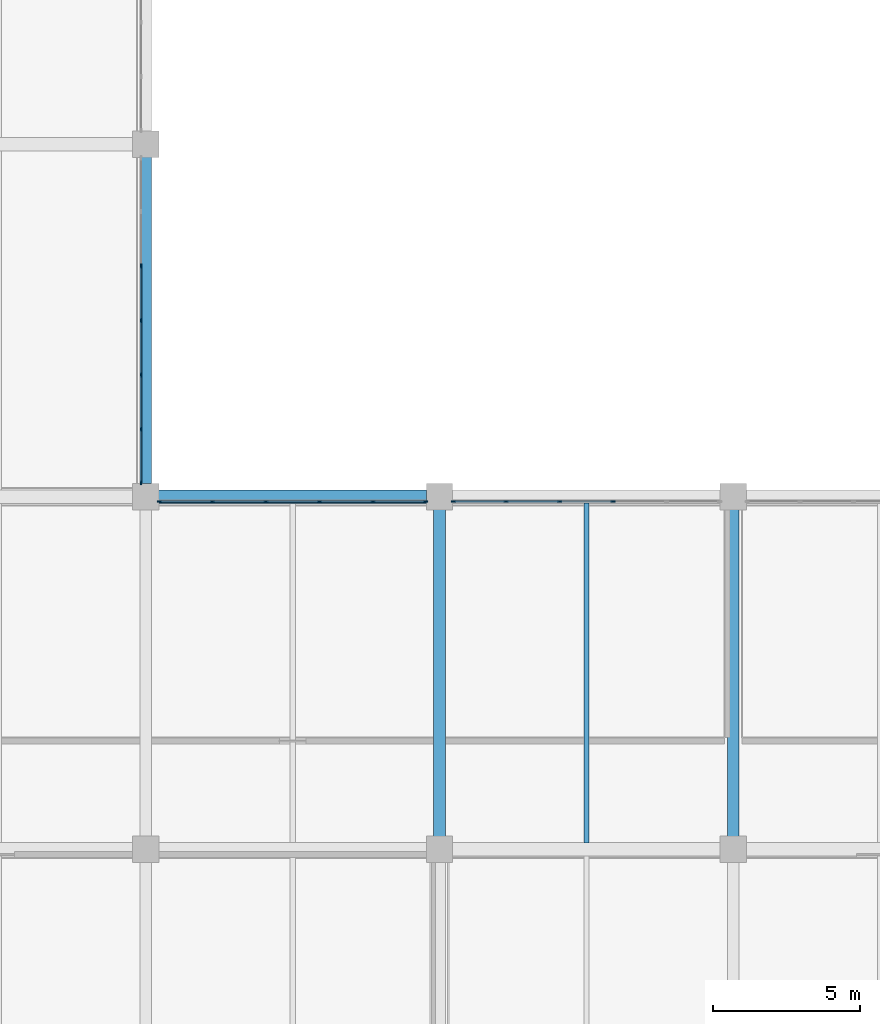
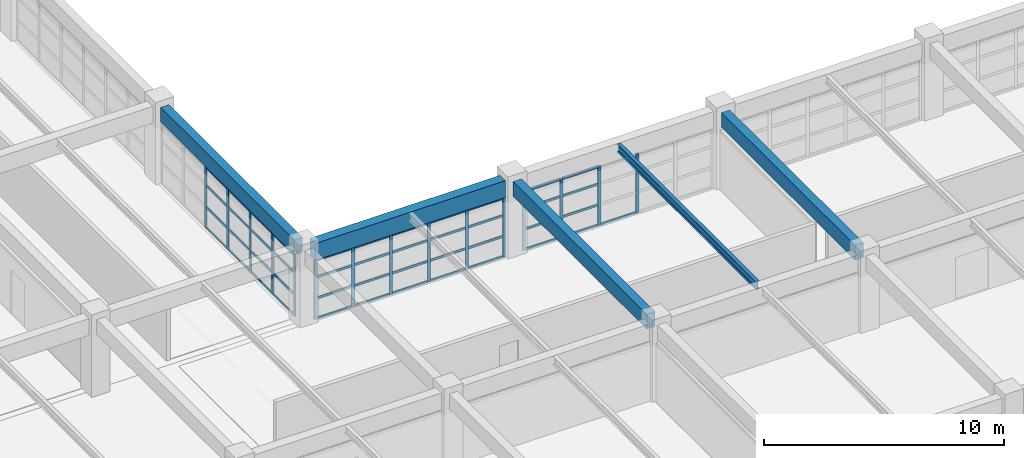
# One storey, part 51 of 100: 60 members, 5 beams, 3 elements without a shape of their own.
"""IFC4 building model written with IfcOpenShell, lengths in metres."""

from ifc_helpers import new_model, si_unit, direction, frame, origin, origin_2d, place, context, subcontext, project, spatial, rectangle, i_section, extrude, material, layer, layer_set, material_profile, profile_set, type_object, element, aggregate, save


model = new_model("IFC4")

# Units and contexts
model_context = context("Model", 3, precision=1e-05, world=origin(), true_north=direction((0.0, 1.0)))
body_context = subcontext(model_context, "Body", "Model", "MODEL_VIEW")
ifc_project = project(units=[si_unit("LENGTHUNIT", "METRE"), si_unit("AREAUNIT", "SQUARE_METRE"), si_unit("VOLUMEUNIT", "CUBIC_METRE"), si_unit("PLANEANGLEUNIT", "RADIAN"), si_unit("MASSUNIT", "GRAM", prefix="KILO")], contexts=[model_context])

# Site, building, storey
site_placement = place(None, origin())
site = spatial("IfcSite", under=ifc_project, at=site_placement, CompositionType="ELEMENT")
building_placement = place(site_placement, origin())
building = spatial("IfcBuilding", under=site, at=building_placement, Name="Kivolera Central Railway Station", CompositionType="ELEMENT")
storey_placement = place(building_placement, frame((0.0, 0.0, 5.39990234375)))
storey = spatial("IfcBuildingStorey", under=building, at=storey_placement, Name="L01", CompositionType="ELEMENT", Elevation=5.39990234375)

# Beams
ifc_material_1 = material(Name="Steel S355", Category="steel")
ifc_material_profile_1 = material_profile(ifc_material_1, i_section(OverallWidth=0.179931640625, OverallDepth=0.39990234375, WebThickness=0.008544921875, FlangeThickness=0.013427734375, FilletRadius=0.02099609375, at=origin_2d()), Name="IPE 400")
ifc_profile_set_1 = profile_set([ifc_material_profile_1], Name="Steel S355")
beam_type_1 = type_object("IfcBeamType", Name="BM-JST-IPE400", PredefinedType="JOIST", material=ifc_profile_set_1)
beam_1_placement = place(storey_placement, frame((153.0, 66.217041015625, 3.668212890625), z_axis=(0.0, 1.0, 0.0), x_axis=(-1.0, 0.0, 0.0)))
element("IfcBeam", 1, at=beam_1_placement, inside=storey, type_object=beam_type_1, Name="L01 Floor Joist 15-16/F-G", PredefinedType="JOIST", context=body_context, shape_type="SweptSolid", body=[
    extrude(i_section(OverallWidth=0.179931640625, OverallDepth=0.39990234375, WebThickness=0.008544921875, FlangeThickness=0.013427734375, FilletRadius=0.02099609375, at=origin_2d()), origin(), (0.0, 0.0, 1.0), 11.56591796875),
])
ifc_material_2 = material(Name="Concrete C40/50", Category="concrete")
ifc_material_profile_2 = material_profile(ifc_material_2, rectangle(XDim=0.39990234375, YDim=0.75, at=origin_2d()), Name="RC 400x750")
ifc_profile_set_2 = profile_set([ifc_material_profile_2], Name="Concrete C40/50")
beam_type_2 = type_object("IfcBeamType", Name="BM-RC-400x750", PredefinedType="BEAM", material=ifc_profile_set_2)
for number, where, z_axis, x_axis, name in (
    (2, (138.0, 78.44189453125, 3.505126953125), (0.0, 1.0, 0.0), (-1.0, 0.0, 0.0), "L01 Wing Y-Beam 14:G-H"),
    (3, (148.0, 66.44189453125, 3.505126953125), (0.0, 1.0, 0.0), (-1.0, 0.0, 0.0), "L01 Wing Y-Beam 15:F-G"),
    (4, (158.0, 66.44189453125, 3.505126953125), (0.0, 1.0, 0.0), (-1.0, 0.0, 0.0), "L01 Wing Y-Beam 16:F-G"),
):
    element("IfcBeam", number, at=place(storey_placement, frame(where, z_axis=z_axis, x_axis=x_axis)), inside=storey, type_object=beam_type_2, Name=name, PredefinedType="BEAM", context=body_context, shape_type="SweptSolid", body=[
        extrude(rectangle(XDim=0.39990234375, YDim=0.75, at=origin_2d()), origin(), (0.0, 0.0, 1.0), 11.1162109375),
    ])
ifc_material_profile_3 = material_profile(ifc_material_2, rectangle(XDim=0.449951171875, YDim=0.85009765625, at=origin_2d()), Name="RC 450x850")
ifc_profile_set_3 = profile_set([ifc_material_profile_3], Name="Concrete C40/50")
beam_type_3 = type_object("IfcBeamType", Name="BM-RC-450x850", PredefinedType="BEAM", material=ifc_profile_set_3)
beam_2_placement = place(storey_placement, frame((138.44189453125, 78.0, 3.455078125), z_axis=(1.0, 0.0, 0.0), x_axis=(0.0, 1.0, 0.0)))
element("IfcBeam", 5, at=beam_2_placement, inside=storey, type_object=beam_type_3, Name="L01 Wing X-Beam G:14-15", PredefinedType="BEAM", context=body_context, shape_type="SweptSolid", body=[
    extrude(rectangle(XDim=0.449951171875, YDim=0.85009765625, at=origin_2d()), origin(), (0.0, 0.0, 1.0), 9.1162109375),
])

# Curtain wall, members
ifc_material_3 = material(Name="Anodised aluminium", Category="aluminium")
ifc_layer_1 = layer(ifc_material_3, 0.179931640625, Name="Anodised aluminium")
ifc_layer_set_1 = layer_set([ifc_layer_1], Name="Anodised aluminium")
curtain_wall_type_1 = type_object("IfcCurtainWallType", Name="CW-SYS-25", PredefinedType="NOTDEFINED", material=ifc_layer_set_1)
curtain_wall_1_placement = place(storey_placement, origin())
curtain_wall_1 = element("IfcCurtainWall", 6, at=curtain_wall_1_placement, inside=storey, type_object=curtain_wall_type_1, Name="L01 Curtain Wall CW-L01-CRTW-G", PredefinedType="NOTDEFINED")
ifc_material_profile_4 = material_profile(ifc_material_3, rectangle(XDim=0.06005859375, YDim=0.14990234375, at=origin_2d()), Name="ALU MULL 60x150")
ifc_profile_set_4 = profile_set([ifc_material_profile_4], Name="Anodised aluminium")
member_type_1 = type_object("IfcMemberType", Name="CWM-MUL-2", PredefinedType="MULLION", material=ifc_profile_set_4)
member_1_placement = place(storey_placement, frame((137.840087890625, 85.8515625, -0.0048828125), z_axis=(0.0, 0.0, 1.0), x_axis=(1.0, 0.0, 0.0)))
member_1 = element("IfcMember", 7, at=member_1_placement, type_object=member_type_1, Name="CW-25 mullion 3", PredefinedType="MULLION", context=body_context, shape_type="SweptSolid", body=[
    extrude(rectangle(XDim=0.06005859375, YDim=0.14990234375, at=origin_2d()), origin(), (0.0, 0.0, 1.0), 3.123046875),
])
member_2_placement = place(storey_placement, frame((137.840087890625, 84.0, -0.0048828125), z_axis=(0.0, 0.0, 1.0), x_axis=(1.0, 0.0, 0.0)))
member_2 = element("IfcMember", 8, at=member_2_placement, type_object=member_type_1, Name="CW-25 mullion 4", PredefinedType="MULLION", context=body_context, shape_type="SweptSolid", body=[
    extrude(rectangle(XDim=0.06005859375, YDim=0.14990234375, at=origin_2d()), origin(), (0.0, 0.0, 1.0), 3.123046875),
])
member_3_placement = place(storey_placement, frame((137.840087890625, 82.1484375, -0.0048828125), z_axis=(0.0, 0.0, 1.0), x_axis=(1.0, 0.0, 0.0)))
member_3 = element("IfcMember", 9, at=member_3_placement, type_object=member_type_1, Name="CW-25 mullion 5", PredefinedType="MULLION", context=body_context, shape_type="SweptSolid", body=[
    extrude(rectangle(XDim=0.06005859375, YDim=0.14990234375, at=origin_2d()), origin(), (0.0, 0.0, 1.0), 3.123046875),
])
member_4_placement = place(storey_placement, frame((137.840087890625, 80.296630859375, -0.0048828125), z_axis=(0.0, 0.0, 1.0), x_axis=(1.0, 0.0, 0.0)))
member_4 = element("IfcMember", 10, at=member_4_placement, type_object=member_type_1, Name="CW-25 mullion 6", PredefinedType="MULLION", context=body_context, shape_type="SweptSolid", body=[
    extrude(rectangle(XDim=0.06005859375, YDim=0.14990234375, at=origin_2d()), origin(), (0.0, 0.0, 1.0), 3.123046875),
])
member_5_placement = place(storey_placement, frame((137.840087890625, 78.47509765625, -0.0048828125), z_axis=(0.0, 0.0, 1.0), x_axis=(1.0, 0.0, 0.0)))
member_5 = element("IfcMember", 11, at=member_5_placement, type_object=member_type_1, Name="CW-25 mullion 7", PredefinedType="MULLION", context=body_context, shape_type="SweptSolid", body=[
    extrude(rectangle(XDim=0.06005859375, YDim=0.14990234375, at=origin_2d()), origin(), (0.0, 0.0, 1.0), 3.123046875),
])

ifc_layer_2 = layer(ifc_material_3, 0.179931640625, Name="Anodised aluminium")
ifc_layer_set_2 = layer_set([ifc_layer_2], Name="Anodised aluminium")
curtain_wall_type_2 = type_object("IfcCurtainWallType", Name="CW-SYS-24", PredefinedType="NOTDEFINED", material=ifc_layer_set_2)
curtain_wall_2_placement = place(storey_placement, origin())
curtain_wall_2 = element("IfcCurtainWall", 12, at=curtain_wall_2_placement, inside=storey, type_object=curtain_wall_type_2, Name="L01 Curtain Wall CW-L01-CRTS-138", PredefinedType="NOTDEFINED")
member_6_placement = place(storey_placement, frame((138.47509765625, 77.840087890625, -0.0048828125), z_axis=(0.0, 0.0, 1.0), x_axis=(0.0, 1.0, 0.0)))
member_6 = element("IfcMember", 13, at=member_6_placement, type_object=member_type_1, Name="CW-24 mullion 1", PredefinedType="MULLION", context=body_context, shape_type="SweptSolid", body=[
    extrude(rectangle(XDim=0.06005859375, YDim=0.14990234375, at=origin_2d()), origin(), (0.0, 0.0, 1.0), 3.02294921875),
])
member_7_placement = place(storey_placement, frame((140.26708984375, 77.840087890625, -0.0048828125), z_axis=(0.0, 0.0, 1.0), x_axis=(0.0, 1.0, 0.0)))
member_7 = element("IfcMember", 14, at=member_7_placement, type_object=member_type_1, Name="CW-24 mullion 2", PredefinedType="MULLION", context=body_context, shape_type="SweptSolid", body=[
    extrude(rectangle(XDim=0.06005859375, YDim=0.14990234375, at=origin_2d()), origin(), (0.0, 0.0, 1.0), 3.02294921875),
])
member_8_placement = place(storey_placement, frame((142.089111328125, 77.840087890625, -0.0048828125), z_axis=(0.0, 0.0, 1.0), x_axis=(0.0, 1.0, 0.0)))
member_8 = element("IfcMember", 15, at=member_8_placement, type_object=member_type_1, Name="CW-24 mullion 3", PredefinedType="MULLION", context=body_context, shape_type="SweptSolid", body=[
    extrude(rectangle(XDim=0.06005859375, YDim=0.14990234375, at=origin_2d()), origin(), (0.0, 0.0, 1.0), 3.02294921875),
])
member_9_placement = place(storey_placement, frame((143.910888671875, 77.840087890625, -0.0048828125), z_axis=(0.0, 0.0, 1.0), x_axis=(0.0, 1.0, 0.0)))
member_9 = element("IfcMember", 16, at=member_9_placement, type_object=member_type_1, Name="CW-24 mullion 4", PredefinedType="MULLION", context=body_context, shape_type="SweptSolid", body=[
    extrude(rectangle(XDim=0.06005859375, YDim=0.14990234375, at=origin_2d()), origin(), (0.0, 0.0, 1.0), 3.02294921875),
])
member_10_placement = place(storey_placement, frame((145.73291015625, 77.840087890625, -0.0048828125), z_axis=(0.0, 0.0, 1.0), x_axis=(0.0, 1.0, 0.0)))
member_10 = element("IfcMember", 17, at=member_10_placement, type_object=member_type_1, Name="CW-24 mullion 5", PredefinedType="MULLION", context=body_context, shape_type="SweptSolid", body=[
    extrude(rectangle(XDim=0.06005859375, YDim=0.14990234375, at=origin_2d()), origin(), (0.0, 0.0, 1.0), 3.02294921875),
])
member_11_placement = place(storey_placement, frame((147.52490234375, 77.840087890625, -0.0048828125), z_axis=(0.0, 0.0, 1.0), x_axis=(0.0, 1.0, 0.0)))
member_11 = element("IfcMember", 18, at=member_11_placement, type_object=member_type_1, Name="CW-24 mullion 6", PredefinedType="MULLION", context=body_context, shape_type="SweptSolid", body=[
    extrude(rectangle(XDim=0.06005859375, YDim=0.14990234375, at=origin_2d()), origin(), (0.0, 0.0, 1.0), 3.02294921875),
])

curtain_wall_3_placement = place(storey_placement, origin())
curtain_wall_3 = element("IfcCurtainWall", 19, at=curtain_wall_3_placement, inside=storey, type_object=curtain_wall_type_2, Name="L01 Curtain Wall CW-L01-CRTS-148", PredefinedType="NOTDEFINED")
member_12_placement = place(storey_placement, frame((148.47509765625, 77.840087890625, -0.0048828125), z_axis=(0.0, 0.0, 1.0), x_axis=(0.0, 1.0, 0.0)))
member_12 = element("IfcMember", 20, at=member_12_placement, type_object=member_type_1, Name="CW-24 mullion 1", PredefinedType="MULLION", context=body_context, shape_type="SweptSolid", body=[
    extrude(rectangle(XDim=0.06005859375, YDim=0.14990234375, at=origin_2d()), origin(), (0.0, 0.0, 1.0), 3.02294921875),
])
member_13_placement = place(storey_placement, frame((150.26708984375, 77.840087890625, -0.0048828125), z_axis=(0.0, 0.0, 1.0), x_axis=(0.0, 1.0, 0.0)))
member_13 = element("IfcMember", 21, at=member_13_placement, type_object=member_type_1, Name="CW-24 mullion 2", PredefinedType="MULLION", context=body_context, shape_type="SweptSolid", body=[
    extrude(rectangle(XDim=0.06005859375, YDim=0.14990234375, at=origin_2d()), origin(), (0.0, 0.0, 1.0), 3.02294921875),
])
member_14_placement = place(storey_placement, frame((152.089111328125, 77.840087890625, -0.0048828125), z_axis=(0.0, 0.0, 1.0), x_axis=(0.0, 1.0, 0.0)))
member_14 = element("IfcMember", 22, at=member_14_placement, type_object=member_type_1, Name="CW-24 mullion 3", PredefinedType="MULLION", context=body_context, shape_type="SweptSolid", body=[
    extrude(rectangle(XDim=0.06005859375, YDim=0.14990234375, at=origin_2d()), origin(), (0.0, 0.0, 1.0), 3.02294921875),
])
member_15_placement = place(storey_placement, frame((153.910888671875, 77.840087890625, -0.0048828125), z_axis=(0.0, 0.0, 1.0), x_axis=(0.0, 1.0, 0.0)))
member_15 = element("IfcMember", 23, at=member_15_placement, type_object=member_type_1, Name="CW-24 mullion 4", PredefinedType="MULLION", context=body_context, shape_type="SweptSolid", body=[
    extrude(rectangle(XDim=0.06005859375, YDim=0.14990234375, at=origin_2d()), origin(), (0.0, 0.0, 1.0), 3.02294921875),
])

# Member
ifc_material_profile_5 = material_profile(ifc_material_3, rectangle(XDim=0.06005859375, YDim=0.1201171875, at=origin_2d()), Name="ALU TRAN 60x120")
ifc_profile_set_5 = profile_set([ifc_material_profile_5], Name="Anodised aluminium")
member_type_2 = type_object("IfcMemberType", Name="CWM-TRN-2", PredefinedType="USERDEFINED", material=ifc_profile_set_5)
member_16_placement = place(storey_placement, frame((137.840087890625, 85.82177734375, 0.030029296875), z_axis=(0.0, -1.0, 0.0), x_axis=(1.0, 0.0, 0.0)))
member_16 = element("IfcMember", 24, at=member_16_placement, type_object=member_type_2, Name="CW-25 transom 3.1", ObjectType="TRANSOM", PredefinedType="USERDEFINED", context=body_context, shape_type="SweptSolid", body=[
    extrude(rectangle(XDim=0.06005859375, YDim=0.1201171875, at=origin_2d()), origin(), (0.0, 0.0, 1.0), 1.791748046875),
])

member_17_placement = place(storey_placement, frame((137.840087890625, 85.82177734375, 1.09130859375), z_axis=(0.0, -1.0, 0.0), x_axis=(1.0, 0.0, 0.0)))
member_17 = element("IfcMember", 25, at=member_17_placement, type_object=member_type_2, Name="CW-25 transom 3.2", ObjectType="TRANSOM", PredefinedType="USERDEFINED", context=body_context, shape_type="SweptSolid", body=[
    extrude(rectangle(XDim=0.06005859375, YDim=0.1201171875, at=origin_2d()), origin(), (0.0, 0.0, 1.0), 1.791748046875),
])

member_18_placement = place(storey_placement, frame((137.840087890625, 85.82177734375, 2.1826171875), z_axis=(0.0, -1.0, 0.0), x_axis=(1.0, 0.0, 0.0)))
member_18 = element("IfcMember", 26, at=member_18_placement, type_object=member_type_2, Name="CW-25 transom 3.3", ObjectType="TRANSOM", PredefinedType="USERDEFINED", context=body_context, shape_type="SweptSolid", body=[
    extrude(rectangle(XDim=0.06005859375, YDim=0.1201171875, at=origin_2d()), origin(), (0.0, 0.0, 1.0), 1.791748046875),
])

member_19_placement = place(storey_placement, frame((137.840087890625, 85.82177734375, 3.088134765625), z_axis=(0.0, -1.0, 0.0), x_axis=(1.0, 0.0, 0.0)))
member_19 = element("IfcMember", 27, at=member_19_placement, type_object=member_type_2, Name="CW-25 transom 3.4", ObjectType="TRANSOM", PredefinedType="USERDEFINED", context=body_context, shape_type="SweptSolid", body=[
    extrude(rectangle(XDim=0.06005859375, YDim=0.1201171875, at=origin_2d()), origin(), (0.0, 0.0, 1.0), 1.791748046875),
])

member_20_placement = place(storey_placement, frame((137.840087890625, 83.969970703125, 0.030029296875), z_axis=(0.0, -1.0, 0.0), x_axis=(1.0, 0.0, 0.0)))
member_20 = element("IfcMember", 28, at=member_20_placement, type_object=member_type_2, Name="CW-25 transom 4.1", ObjectType="TRANSOM", PredefinedType="USERDEFINED", context=body_context, shape_type="SweptSolid", body=[
    extrude(rectangle(XDim=0.06005859375, YDim=0.1201171875, at=origin_2d()), origin(), (0.0, 0.0, 1.0), 1.791748046875),
])

member_21_placement = place(storey_placement, frame((137.840087890625, 83.969970703125, 1.09130859375), z_axis=(0.0, -1.0, 0.0), x_axis=(1.0, 0.0, 0.0)))
member_21 = element("IfcMember", 29, at=member_21_placement, type_object=member_type_2, Name="CW-25 transom 4.2", ObjectType="TRANSOM", PredefinedType="USERDEFINED", context=body_context, shape_type="SweptSolid", body=[
    extrude(rectangle(XDim=0.06005859375, YDim=0.1201171875, at=origin_2d()), origin(), (0.0, 0.0, 1.0), 1.791748046875),
])

member_22_placement = place(storey_placement, frame((137.840087890625, 83.969970703125, 2.1826171875), z_axis=(0.0, -1.0, 0.0), x_axis=(1.0, 0.0, 0.0)))
member_22 = element("IfcMember", 30, at=member_22_placement, type_object=member_type_2, Name="CW-25 transom 4.3", ObjectType="TRANSOM", PredefinedType="USERDEFINED", context=body_context, shape_type="SweptSolid", body=[
    extrude(rectangle(XDim=0.06005859375, YDim=0.1201171875, at=origin_2d()), origin(), (0.0, 0.0, 1.0), 1.791748046875),
])

member_23_placement = place(storey_placement, frame((137.840087890625, 83.969970703125, 3.088134765625), z_axis=(0.0, -1.0, 0.0), x_axis=(1.0, 0.0, 0.0)))
member_23 = element("IfcMember", 31, at=member_23_placement, type_object=member_type_2, Name="CW-25 transom 4.4", ObjectType="TRANSOM", PredefinedType="USERDEFINED", context=body_context, shape_type="SweptSolid", body=[
    extrude(rectangle(XDim=0.06005859375, YDim=0.1201171875, at=origin_2d()), origin(), (0.0, 0.0, 1.0), 1.791748046875),
])

member_24_placement = place(storey_placement, frame((137.840087890625, 82.118408203125, 0.030029296875), z_axis=(0.0, -1.0, 0.0), x_axis=(1.0, 0.0, 0.0)))
member_24 = element("IfcMember", 32, at=member_24_placement, type_object=member_type_2, Name="CW-25 transom 5.1", ObjectType="TRANSOM", PredefinedType="USERDEFINED", context=body_context, shape_type="SweptSolid", body=[
    extrude(rectangle(XDim=0.06005859375, YDim=0.1201171875, at=origin_2d()), origin(), (0.0, 0.0, 1.0), 1.791748046875),
])

member_25_placement = place(storey_placement, frame((137.840087890625, 82.118408203125, 1.09130859375), z_axis=(0.0, -1.0, 0.0), x_axis=(1.0, 0.0, 0.0)))
member_25 = element("IfcMember", 33, at=member_25_placement, type_object=member_type_2, Name="CW-25 transom 5.2", ObjectType="TRANSOM", PredefinedType="USERDEFINED", context=body_context, shape_type="SweptSolid", body=[
    extrude(rectangle(XDim=0.06005859375, YDim=0.1201171875, at=origin_2d()), origin(), (0.0, 0.0, 1.0), 1.791748046875),
])

member_26_placement = place(storey_placement, frame((137.840087890625, 82.118408203125, 2.1826171875), z_axis=(0.0, -1.0, 0.0), x_axis=(1.0, 0.0, 0.0)))
member_26 = element("IfcMember", 34, at=member_26_placement, type_object=member_type_2, Name="CW-25 transom 5.3", ObjectType="TRANSOM", PredefinedType="USERDEFINED", context=body_context, shape_type="SweptSolid", body=[
    extrude(rectangle(XDim=0.06005859375, YDim=0.1201171875, at=origin_2d()), origin(), (0.0, 0.0, 1.0), 1.791748046875),
])

member_27_placement = place(storey_placement, frame((137.840087890625, 82.118408203125, 3.088134765625), z_axis=(0.0, -1.0, 0.0), x_axis=(1.0, 0.0, 0.0)))
member_27 = element("IfcMember", 35, at=member_27_placement, type_object=member_type_2, Name="CW-25 transom 5.4", ObjectType="TRANSOM", PredefinedType="USERDEFINED", context=body_context, shape_type="SweptSolid", body=[
    extrude(rectangle(XDim=0.06005859375, YDim=0.1201171875, at=origin_2d()), origin(), (0.0, 0.0, 1.0), 1.791748046875),
])

member_28_placement = place(storey_placement, frame((137.840087890625, 80.2666015625, 0.030029296875), z_axis=(0.0, -1.0, 0.0), x_axis=(1.0, 0.0, 0.0)))
member_28 = element("IfcMember", 36, at=member_28_placement, type_object=member_type_2, Name="CW-25 transom 6.1", ObjectType="TRANSOM", PredefinedType="USERDEFINED", context=body_context, shape_type="SweptSolid", body=[
    extrude(rectangle(XDim=0.06005859375, YDim=0.1201171875, at=origin_2d()), origin(), (0.0, 0.0, 1.0), 1.76171875),
])

member_29_placement = place(storey_placement, frame((137.840087890625, 80.2666015625, 1.09130859375), z_axis=(0.0, -1.0, 0.0), x_axis=(1.0, 0.0, 0.0)))
member_29 = element("IfcMember", 37, at=member_29_placement, type_object=member_type_2, Name="CW-25 transom 6.2", ObjectType="TRANSOM", PredefinedType="USERDEFINED", context=body_context, shape_type="SweptSolid", body=[
    extrude(rectangle(XDim=0.06005859375, YDim=0.1201171875, at=origin_2d()), origin(), (0.0, 0.0, 1.0), 1.76171875),
])

member_30_placement = place(storey_placement, frame((137.840087890625, 80.2666015625, 2.1826171875), z_axis=(0.0, -1.0, 0.0), x_axis=(1.0, 0.0, 0.0)))
member_30 = element("IfcMember", 38, at=member_30_placement, type_object=member_type_2, Name="CW-25 transom 6.3", ObjectType="TRANSOM", PredefinedType="USERDEFINED", context=body_context, shape_type="SweptSolid", body=[
    extrude(rectangle(XDim=0.06005859375, YDim=0.1201171875, at=origin_2d()), origin(), (0.0, 0.0, 1.0), 1.76171875),
])

member_31_placement = place(storey_placement, frame((137.840087890625, 80.2666015625, 3.088134765625), z_axis=(0.0, -1.0, 0.0), x_axis=(1.0, 0.0, 0.0)))
member_31 = element("IfcMember", 39, at=member_31_placement, type_object=member_type_2, Name="CW-25 transom 6.4", ObjectType="TRANSOM", PredefinedType="USERDEFINED", context=body_context, shape_type="SweptSolid", body=[
    extrude(rectangle(XDim=0.06005859375, YDim=0.1201171875, at=origin_2d()), origin(), (0.0, 0.0, 1.0), 1.76171875),
])

aggregate(curtain_wall_1, [member_1, member_2, member_3, member_4, member_5, member_16, member_17, member_18, member_19, member_20, member_21, member_22, member_23, member_24, member_25, member_26, member_27, member_28, member_29, member_30, member_31])

member_32_placement = place(storey_placement, frame((138.5048828125, 77.840087890625, 0.030029296875), z_axis=(1.0, 0.0, 0.0), x_axis=(0.0, 1.0, 0.0)))
member_32 = element("IfcMember", 40, at=member_32_placement, type_object=member_type_2, Name="CW-24 transom 1.1", ObjectType="TRANSOM", PredefinedType="USERDEFINED", context=body_context, shape_type="SweptSolid", body=[
    extrude(rectangle(XDim=0.06005859375, YDim=0.1201171875, at=origin_2d()), origin(), (0.0, 0.0, 1.0), 1.732177734375),
])

member_33_placement = place(storey_placement, frame((138.5048828125, 77.840087890625, 1.056396484375), z_axis=(1.0, 0.0, 0.0), x_axis=(0.0, 1.0, 0.0)))
member_33 = element("IfcMember", 41, at=member_33_placement, type_object=member_type_2, Name="CW-24 transom 1.2", ObjectType="TRANSOM", PredefinedType="USERDEFINED", context=body_context, shape_type="SweptSolid", body=[
    extrude(rectangle(XDim=0.06005859375, YDim=0.1201171875, at=origin_2d()), origin(), (0.0, 0.0, 1.0), 1.732177734375),
])

member_34_placement = place(storey_placement, frame((138.5048828125, 77.840087890625, 2.11279296875), z_axis=(1.0, 0.0, 0.0), x_axis=(0.0, 1.0, 0.0)))
member_34 = element("IfcMember", 42, at=member_34_placement, type_object=member_type_2, Name="CW-24 transom 1.3", ObjectType="TRANSOM", PredefinedType="USERDEFINED", context=body_context, shape_type="SweptSolid", body=[
    extrude(rectangle(XDim=0.06005859375, YDim=0.1201171875, at=origin_2d()), origin(), (0.0, 0.0, 1.0), 1.732177734375),
])

member_35_placement = place(storey_placement, frame((138.5048828125, 77.840087890625, 2.988037109375), z_axis=(1.0, 0.0, 0.0), x_axis=(0.0, 1.0, 0.0)))
member_35 = element("IfcMember", 43, at=member_35_placement, type_object=member_type_2, Name="CW-24 transom 1.4", ObjectType="TRANSOM", PredefinedType="USERDEFINED", context=body_context, shape_type="SweptSolid", body=[
    extrude(rectangle(XDim=0.06005859375, YDim=0.1201171875, at=origin_2d()), origin(), (0.0, 0.0, 1.0), 1.732177734375),
])

member_36_placement = place(storey_placement, frame((140.297119140625, 77.840087890625, 0.030029296875), z_axis=(1.0, 0.0, 0.0), x_axis=(0.0, 1.0, 0.0)))
member_36 = element("IfcMember", 44, at=member_36_placement, type_object=member_type_2, Name="CW-24 transom 2.1", ObjectType="TRANSOM", PredefinedType="USERDEFINED", context=body_context, shape_type="SweptSolid", body=[
    extrude(rectangle(XDim=0.06005859375, YDim=0.1201171875, at=origin_2d()), origin(), (0.0, 0.0, 1.0), 1.761962890625),
])

member_37_placement = place(storey_placement, frame((140.297119140625, 77.840087890625, 1.056396484375), z_axis=(1.0, 0.0, 0.0), x_axis=(0.0, 1.0, 0.0)))
member_37 = element("IfcMember", 45, at=member_37_placement, type_object=member_type_2, Name="CW-24 transom 2.2", ObjectType="TRANSOM", PredefinedType="USERDEFINED", context=body_context, shape_type="SweptSolid", body=[
    extrude(rectangle(XDim=0.06005859375, YDim=0.1201171875, at=origin_2d()), origin(), (0.0, 0.0, 1.0), 1.761962890625),
])

member_38_placement = place(storey_placement, frame((140.297119140625, 77.840087890625, 2.11279296875), z_axis=(1.0, 0.0, 0.0), x_axis=(0.0, 1.0, 0.0)))
member_38 = element("IfcMember", 46, at=member_38_placement, type_object=member_type_2, Name="CW-24 transom 2.3", ObjectType="TRANSOM", PredefinedType="USERDEFINED", context=body_context, shape_type="SweptSolid", body=[
    extrude(rectangle(XDim=0.06005859375, YDim=0.1201171875, at=origin_2d()), origin(), (0.0, 0.0, 1.0), 1.761962890625),
])

member_39_placement = place(storey_placement, frame((140.297119140625, 77.840087890625, 2.988037109375), z_axis=(1.0, 0.0, 0.0), x_axis=(0.0, 1.0, 0.0)))
member_39 = element("IfcMember", 47, at=member_39_placement, type_object=member_type_2, Name="CW-24 transom 2.4", ObjectType="TRANSOM", PredefinedType="USERDEFINED", context=body_context, shape_type="SweptSolid", body=[
    extrude(rectangle(XDim=0.06005859375, YDim=0.1201171875, at=origin_2d()), origin(), (0.0, 0.0, 1.0), 1.761962890625),
])

member_40_placement = place(storey_placement, frame((142.118896484375, 77.840087890625, 0.030029296875), z_axis=(1.0, 0.0, 0.0), x_axis=(0.0, 1.0, 0.0)))
member_40 = element("IfcMember", 48, at=member_40_placement, type_object=member_type_2, Name="CW-24 transom 3.1", ObjectType="TRANSOM", PredefinedType="USERDEFINED", context=body_context, shape_type="SweptSolid", body=[
    extrude(rectangle(XDim=0.06005859375, YDim=0.1201171875, at=origin_2d()), origin(), (0.0, 0.0, 1.0), 1.76220703125),
])

member_41_placement = place(storey_placement, frame((142.118896484375, 77.840087890625, 1.056396484375), z_axis=(1.0, 0.0, 0.0), x_axis=(0.0, 1.0, 0.0)))
member_41 = element("IfcMember", 49, at=member_41_placement, type_object=member_type_2, Name="CW-24 transom 3.2", ObjectType="TRANSOM", PredefinedType="USERDEFINED", context=body_context, shape_type="SweptSolid", body=[
    extrude(rectangle(XDim=0.06005859375, YDim=0.1201171875, at=origin_2d()), origin(), (0.0, 0.0, 1.0), 1.76220703125),
])

member_42_placement = place(storey_placement, frame((142.118896484375, 77.840087890625, 2.11279296875), z_axis=(1.0, 0.0, 0.0), x_axis=(0.0, 1.0, 0.0)))
member_42 = element("IfcMember", 50, at=member_42_placement, type_object=member_type_2, Name="CW-24 transom 3.3", ObjectType="TRANSOM", PredefinedType="USERDEFINED", context=body_context, shape_type="SweptSolid", body=[
    extrude(rectangle(XDim=0.06005859375, YDim=0.1201171875, at=origin_2d()), origin(), (0.0, 0.0, 1.0), 1.76220703125),
])

member_43_placement = place(storey_placement, frame((142.118896484375, 77.840087890625, 2.988037109375), z_axis=(1.0, 0.0, 0.0), x_axis=(0.0, 1.0, 0.0)))
member_43 = element("IfcMember", 51, at=member_43_placement, type_object=member_type_2, Name="CW-24 transom 3.4", ObjectType="TRANSOM", PredefinedType="USERDEFINED", context=body_context, shape_type="SweptSolid", body=[
    extrude(rectangle(XDim=0.06005859375, YDim=0.1201171875, at=origin_2d()), origin(), (0.0, 0.0, 1.0), 1.76220703125),
])

member_44_placement = place(storey_placement, frame((143.94091796875, 77.840087890625, 0.030029296875), z_axis=(1.0, 0.0, 0.0), x_axis=(0.0, 1.0, 0.0)))
member_44 = element("IfcMember", 52, at=member_44_placement, type_object=member_type_2, Name="CW-24 transom 4.1", ObjectType="TRANSOM", PredefinedType="USERDEFINED", context=body_context, shape_type="SweptSolid", body=[
    extrude(rectangle(XDim=0.06005859375, YDim=0.1201171875, at=origin_2d()), origin(), (0.0, 0.0, 1.0), 1.761962890625),
])

member_45_placement = place(storey_placement, frame((143.94091796875, 77.840087890625, 1.056396484375), z_axis=(1.0, 0.0, 0.0), x_axis=(0.0, 1.0, 0.0)))
member_45 = element("IfcMember", 53, at=member_45_placement, type_object=member_type_2, Name="CW-24 transom 4.2", ObjectType="TRANSOM", PredefinedType="USERDEFINED", context=body_context, shape_type="SweptSolid", body=[
    extrude(rectangle(XDim=0.06005859375, YDim=0.1201171875, at=origin_2d()), origin(), (0.0, 0.0, 1.0), 1.761962890625),
])

member_46_placement = place(storey_placement, frame((143.94091796875, 77.840087890625, 2.11279296875), z_axis=(1.0, 0.0, 0.0), x_axis=(0.0, 1.0, 0.0)))
member_46 = element("IfcMember", 54, at=member_46_placement, type_object=member_type_2, Name="CW-24 transom 4.3", ObjectType="TRANSOM", PredefinedType="USERDEFINED", context=body_context, shape_type="SweptSolid", body=[
    extrude(rectangle(XDim=0.06005859375, YDim=0.1201171875, at=origin_2d()), origin(), (0.0, 0.0, 1.0), 1.761962890625),
])

member_47_placement = place(storey_placement, frame((143.94091796875, 77.840087890625, 2.988037109375), z_axis=(1.0, 0.0, 0.0), x_axis=(0.0, 1.0, 0.0)))
member_47 = element("IfcMember", 55, at=member_47_placement, type_object=member_type_2, Name="CW-24 transom 4.4", ObjectType="TRANSOM", PredefinedType="USERDEFINED", context=body_context, shape_type="SweptSolid", body=[
    extrude(rectangle(XDim=0.06005859375, YDim=0.1201171875, at=origin_2d()), origin(), (0.0, 0.0, 1.0), 1.761962890625),
])

member_48_placement = place(storey_placement, frame((145.762939453125, 77.840087890625, 0.030029296875), z_axis=(1.0, 0.0, 0.0), x_axis=(0.0, 1.0, 0.0)))
member_48 = element("IfcMember", 56, at=member_48_placement, type_object=member_type_2, Name="CW-24 transom 5.1", ObjectType="TRANSOM", PredefinedType="USERDEFINED", context=body_context, shape_type="SweptSolid", body=[
    extrude(rectangle(XDim=0.06005859375, YDim=0.1201171875, at=origin_2d()), origin(), (0.0, 0.0, 1.0), 1.732177734375),
])

member_49_placement = place(storey_placement, frame((145.762939453125, 77.840087890625, 1.056396484375), z_axis=(1.0, 0.0, 0.0), x_axis=(0.0, 1.0, 0.0)))
member_49 = element("IfcMember", 57, at=member_49_placement, type_object=member_type_2, Name="CW-24 transom 5.2", ObjectType="TRANSOM", PredefinedType="USERDEFINED", context=body_context, shape_type="SweptSolid", body=[
    extrude(rectangle(XDim=0.06005859375, YDim=0.1201171875, at=origin_2d()), origin(), (0.0, 0.0, 1.0), 1.732177734375),
])

member_50_placement = place(storey_placement, frame((145.762939453125, 77.840087890625, 2.11279296875), z_axis=(1.0, 0.0, 0.0), x_axis=(0.0, 1.0, 0.0)))
member_50 = element("IfcMember", 58, at=member_50_placement, type_object=member_type_2, Name="CW-24 transom 5.3", ObjectType="TRANSOM", PredefinedType="USERDEFINED", context=body_context, shape_type="SweptSolid", body=[
    extrude(rectangle(XDim=0.06005859375, YDim=0.1201171875, at=origin_2d()), origin(), (0.0, 0.0, 1.0), 1.732177734375),
])

member_51_placement = place(storey_placement, frame((145.762939453125, 77.840087890625, 2.988037109375), z_axis=(1.0, 0.0, 0.0), x_axis=(0.0, 1.0, 0.0)))
member_51 = element("IfcMember", 59, at=member_51_placement, type_object=member_type_2, Name="CW-24 transom 5.4", ObjectType="TRANSOM", PredefinedType="USERDEFINED", context=body_context, shape_type="SweptSolid", body=[
    extrude(rectangle(XDim=0.06005859375, YDim=0.1201171875, at=origin_2d()), origin(), (0.0, 0.0, 1.0), 1.732177734375),
])

aggregate(curtain_wall_2, [member_6, member_7, member_8, member_9, member_10, member_11, member_32, member_33, member_34, member_35, member_36, member_37, member_38, member_39, member_40, member_41, member_42, member_43, member_44, member_45, member_46, member_47, member_48, member_49, member_50, member_51])

member_52_placement = place(storey_placement, frame((148.5048828125, 77.840087890625, 0.030029296875), z_axis=(1.0, 0.0, 0.0), x_axis=(0.0, 1.0, 0.0)))
member_52 = element("IfcMember", 60, at=member_52_placement, type_object=member_type_2, Name="CW-24 transom 1.1", ObjectType="TRANSOM", PredefinedType="USERDEFINED", context=body_context, shape_type="SweptSolid", body=[
    extrude(rectangle(XDim=0.06005859375, YDim=0.1201171875, at=origin_2d()), origin(), (0.0, 0.0, 1.0), 1.732177734375),
])

member_53_placement = place(storey_placement, frame((148.5048828125, 77.840087890625, 1.056396484375), z_axis=(1.0, 0.0, 0.0), x_axis=(0.0, 1.0, 0.0)))
member_53 = element("IfcMember", 61, at=member_53_placement, type_object=member_type_2, Name="CW-24 transom 1.2", ObjectType="TRANSOM", PredefinedType="USERDEFINED", context=body_context, shape_type="SweptSolid", body=[
    extrude(rectangle(XDim=0.06005859375, YDim=0.1201171875, at=origin_2d()), origin(), (0.0, 0.0, 1.0), 1.732177734375),
])

member_54_placement = place(storey_placement, frame((148.5048828125, 77.840087890625, 2.11279296875), z_axis=(1.0, 0.0, 0.0), x_axis=(0.0, 1.0, 0.0)))
member_54 = element("IfcMember", 62, at=member_54_placement, type_object=member_type_2, Name="CW-24 transom 1.3", ObjectType="TRANSOM", PredefinedType="USERDEFINED", context=body_context, shape_type="SweptSolid", body=[
    extrude(rectangle(XDim=0.06005859375, YDim=0.1201171875, at=origin_2d()), origin(), (0.0, 0.0, 1.0), 1.732177734375),
])

member_55_placement = place(storey_placement, frame((148.5048828125, 77.840087890625, 2.988037109375), z_axis=(1.0, 0.0, 0.0), x_axis=(0.0, 1.0, 0.0)))
member_55 = element("IfcMember", 63, at=member_55_placement, type_object=member_type_2, Name="CW-24 transom 1.4", ObjectType="TRANSOM", PredefinedType="USERDEFINED", context=body_context, shape_type="SweptSolid", body=[
    extrude(rectangle(XDim=0.06005859375, YDim=0.1201171875, at=origin_2d()), origin(), (0.0, 0.0, 1.0), 1.732177734375),
])

member_56_placement = place(storey_placement, frame((150.297119140625, 77.840087890625, 0.030029296875), z_axis=(1.0, 0.0, 0.0), x_axis=(0.0, 1.0, 0.0)))
member_56 = element("IfcMember", 64, at=member_56_placement, type_object=member_type_2, Name="CW-24 transom 2.1", ObjectType="TRANSOM", PredefinedType="USERDEFINED", context=body_context, shape_type="SweptSolid", body=[
    extrude(rectangle(XDim=0.06005859375, YDim=0.1201171875, at=origin_2d()), origin(), (0.0, 0.0, 1.0), 1.761962890625),
])

member_57_placement = place(storey_placement, frame((150.297119140625, 77.840087890625, 1.056396484375), z_axis=(1.0, 0.0, 0.0), x_axis=(0.0, 1.0, 0.0)))
member_57 = element("IfcMember", 65, at=member_57_placement, type_object=member_type_2, Name="CW-24 transom 2.2", ObjectType="TRANSOM", PredefinedType="USERDEFINED", context=body_context, shape_type="SweptSolid", body=[
    extrude(rectangle(XDim=0.06005859375, YDim=0.1201171875, at=origin_2d()), origin(), (0.0, 0.0, 1.0), 1.761962890625),
])

member_58_placement = place(storey_placement, frame((150.297119140625, 77.840087890625, 2.11279296875), z_axis=(1.0, 0.0, 0.0), x_axis=(0.0, 1.0, 0.0)))
member_58 = element("IfcMember", 66, at=member_58_placement, type_object=member_type_2, Name="CW-24 transom 2.3", ObjectType="TRANSOM", PredefinedType="USERDEFINED", context=body_context, shape_type="SweptSolid", body=[
    extrude(rectangle(XDim=0.06005859375, YDim=0.1201171875, at=origin_2d()), origin(), (0.0, 0.0, 1.0), 1.761962890625),
])

member_59_placement = place(storey_placement, frame((150.297119140625, 77.840087890625, 2.988037109375), z_axis=(1.0, 0.0, 0.0), x_axis=(0.0, 1.0, 0.0)))
member_59 = element("IfcMember", 67, at=member_59_placement, type_object=member_type_2, Name="CW-24 transom 2.4", ObjectType="TRANSOM", PredefinedType="USERDEFINED", context=body_context, shape_type="SweptSolid", body=[
    extrude(rectangle(XDim=0.06005859375, YDim=0.1201171875, at=origin_2d()), origin(), (0.0, 0.0, 1.0), 1.761962890625),
])

member_60_placement = place(storey_placement, frame((152.118896484375, 77.840087890625, 0.030029296875), z_axis=(1.0, 0.0, 0.0), x_axis=(0.0, 1.0, 0.0)))
member_60 = element("IfcMember", 68, at=member_60_placement, type_object=member_type_2, Name="CW-24 transom 3.1", ObjectType="TRANSOM", PredefinedType="USERDEFINED", context=body_context, shape_type="SweptSolid", body=[
    extrude(rectangle(XDim=0.06005859375, YDim=0.1201171875, at=origin_2d()), origin(), (0.0, 0.0, 1.0), 1.76220703125),
])

aggregate(curtain_wall_3, [member_12, member_13, member_14, member_15, member_52, member_53, member_54, member_55, member_56, member_57, member_58, member_59, member_60])

save(model, "model.ifc")
